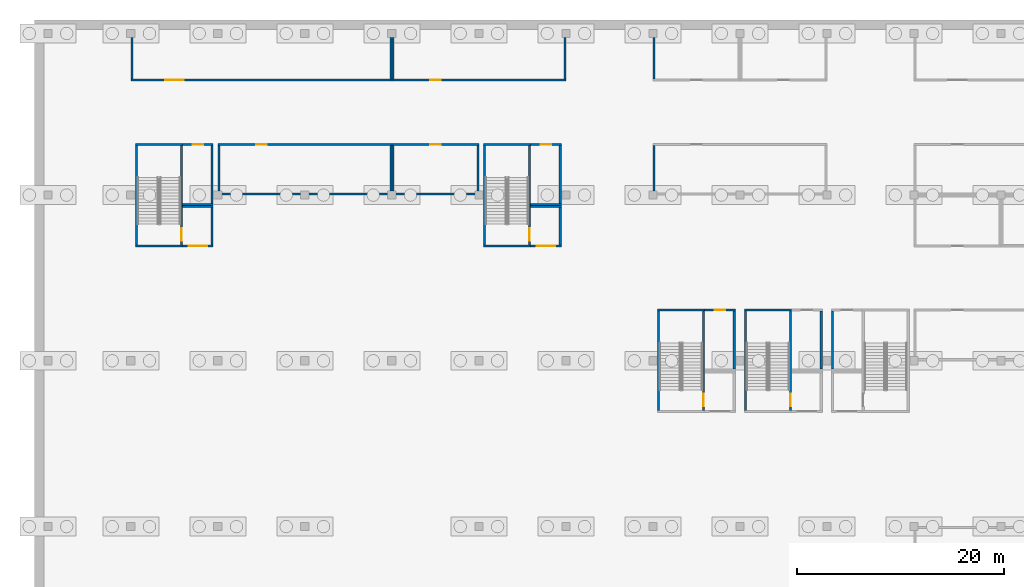
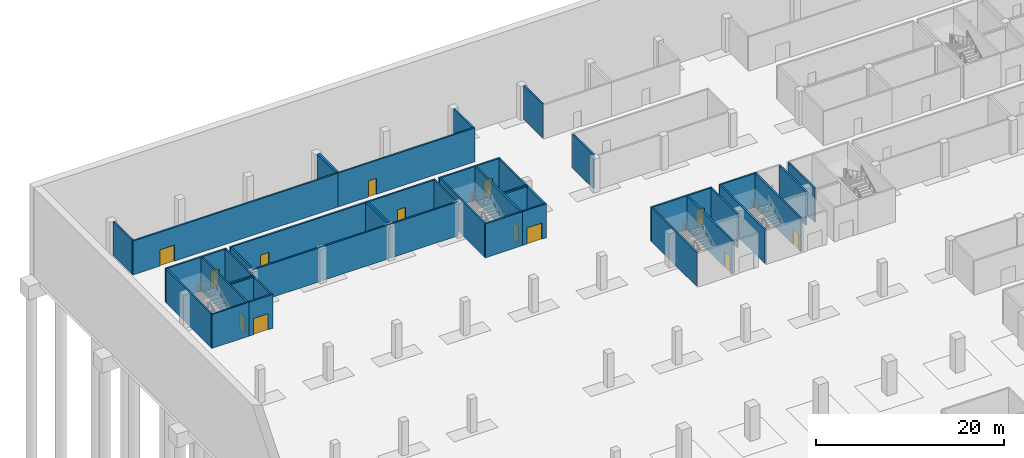
# One storey, part 21 of 46: 46 walls, 13 doors, 13 openings.
"""IFC4 building model written with IfcOpenShell, lengths in metres."""

import ifcopenshell
import ifcopenshell.guid

model = None  # the IFC model being written
_history = None  # IfcOwnerHistory: only IFC2X3 demands one
_inside = {}  # id of a spatial element -> (the spatial element, [elements in it])
_under = {}  # id of a project, library or spatial element -> (it, [spatial elements below it])
_declared = {}  # id of a project -> (the project, [libraries it declares])
_typed = {}  # id of a type object -> (the type object, [elements of that type])
_made_of = {}  # id of a material, layer set ... -> (it, [elements and type objects made of it])


def new_model(schema):
    """Start an empty IFC model of exactly this schema.

    Asked for "IFC4X3", IfcOpenShell would pick the latest addendum, in which some entities
    have other attributes; the version numbers below select the first issue.
    IFC2X3 requires an IfcOwnerHistory on every rooted entity: one is made here for all.
    """
    global model, _history
    if schema == "IFC4X3":
        model = ifcopenshell.file(schema_version=(4, 3, 0, 0))
    else:
        model = ifcopenshell.file(schema=schema)
    _inside.clear()
    _under.clear()
    _declared.clear()
    _typed.clear()
    _made_of.clear()
    _history = None
    if model.schema == "IFC2X3":
        org = make("IfcOrganization", Name="unknown")
        user = make(
            "IfcPersonAndOrganization",
            ThePerson=make("IfcPerson", FamilyName="unknown"),
            TheOrganization=org,
        )
        app = make(
            "IfcApplication",
            ApplicationDeveloper=org,
            Version="unknown",
            ApplicationFullName="unknown",
            ApplicationIdentifier="unknown",
        )
        _history = make(
            "IfcOwnerHistory",
            OwningUser=user,
            OwningApplication=app,
            ChangeAction="ADDED",
            CreationDate=0,
        )
    return model


def make(cls, **values):
    """One entity of the class cls with the attributes given. An attribute that is None is left unset."""
    return model.create_entity(
        cls, **{name: value for name, value in values.items() if value is not None}
    )


def rooted(cls, **values):
    """An entity with a GlobalId (a new one), such as an element, a storey or a relation."""
    return make(cls, GlobalId=ifcopenshell.guid.new(), OwnerHistory=_history, **values)


def si_unit(unit_type, name, prefix=None):
    """IfcSIUnit, for example si_unit("LENGTHUNIT", "METRE", prefix="MILLI")."""
    return make("IfcSIUnit", UnitType=unit_type, Prefix=prefix, Name=name)


def assignment(units):
    """IfcUnitAssignment: the units of a project."""
    return None if units is None else make("IfcUnitAssignment", Units=units)


def point(xyz):
    """IfcCartesianPoint."""
    return None if xyz is None else make("IfcCartesianPoint", Coordinates=xyz)


def direction(xyz):
    """IfcDirection."""
    return None if xyz is None else make("IfcDirection", DirectionRatios=xyz)


def frame(location, z_axis=None, x_axis=None):
    """IfcAxis2Placement3D, a coordinate frame: its origin and axes. An axis left out is left unset."""
    return make(
        "IfcAxis2Placement3D",
        Location=point(location),
        Axis=direction(z_axis),
        RefDirection=direction(x_axis),
    )


def frame_2d(location, x_axis=None):
    """IfcAxis2Placement2D, a coordinate frame in the plane: its origin and x axis."""
    return make(
        "IfcAxis2Placement2D", Location=point(location), RefDirection=direction(x_axis)
    )


def origin():
    """The frame at (0, 0, 0) with its axes left unset."""
    return frame((0.0, 0.0, 0.0))


def place(relative_to, where):
    """IfcLocalPlacement: puts the frame where relative to a parent placement (None: the world)."""
    return make(
        "IfcLocalPlacement", PlacementRelTo=relative_to, RelativePlacement=where
    )


def context(
    kind, dimensions, precision=None, world=None, true_north=None, identifier=None
):
    """IfcGeometricRepresentationContext, for example the 3D "Model" context."""
    return make(
        "IfcGeometricRepresentationContext",
        ContextIdentifier=identifier,
        ContextType=kind,
        CoordinateSpaceDimension=dimensions,
        Precision=precision,
        WorldCoordinateSystem=world,
        TrueNorth=true_north,
    )


def subcontext(parent, identifier, kind, view, scale=None):
    """IfcGeometricRepresentationSubContext, for example "Body" below "Model"."""
    return make(
        "IfcGeometricRepresentationSubContext",
        ContextIdentifier=identifier,
        ContextType=kind,
        ParentContext=parent,
        TargetScale=scale,
        TargetView=view,
    )


def project(units=None, contexts=None):
    """IfcProject with its units and contexts."""
    return rooted(
        "IfcProject",
        Name="project",
        RepresentationContexts=contexts,
        UnitsInContext=assignment(units),
    )


def spatial(cls, under=None, at=None, **own):
    """A site, building, storey or space (cls), placed at a placement, below another one or the project."""
    s = rooted(cls, ObjectPlacement=at, **own)
    if under is not None:
        _under.setdefault(under.id(), (under, []))[1].append(s)
    return s


def profile(cls, at=None, kind="AREA", **sizes):
    """A parametric profile (cls). Its sizes go by their IFC names, for example OverallWidth=200.0."""
    return make(cls, ProfileType=kind, Position=at, **sizes)


def rectangle(**sizes):
    """IfcRectangleProfileDef."""
    return profile("IfcRectangleProfileDef", **sizes)


def extrude(swept, where, along, depth):
    """IfcExtrudedAreaSolid: the profile swept, set in the frame where, extruded along a direction by depth."""
    return make(
        "IfcExtrudedAreaSolid",
        SweptArea=swept,
        Position=where,
        ExtrudedDirection=direction(along),
        Depth=depth,
    )


def shape(context_of_items, identifier, shape_type, items):
    """IfcShapeRepresentation: the items that make up one representation, for example the "Body"."""
    return make(
        "IfcShapeRepresentation",
        ContextOfItems=context_of_items,
        RepresentationIdentifier=identifier,
        RepresentationType=shape_type,
        Items=items,
    )


def material(Name=None, Category=None):
    """IfcMaterial."""
    return make("IfcMaterial", Name=Name, Category=Category)


def layer(
    of_material, thickness, ventilated=None, Name=None, Category=None, Priority=None
):
    """IfcMaterialLayer: one layer of a wall or slab, of a material (None: an air gap)."""
    return make(
        "IfcMaterialLayer",
        Material=of_material,
        LayerThickness=thickness,
        IsVentilated=ventilated,
        Name=Name,
        Category=Category,
        Priority=Priority,
    )


def layer_set(layers, Name=None):
    """IfcMaterialLayerSet."""
    return make("IfcMaterialLayerSet", MaterialLayers=layers, LayerSetName=Name)


def made_of(thing, what):
    """Note that an element or type object is made of a material, layer set ...; save() writes the relation."""
    if what is not None:
        _made_of.setdefault(what.id(), (what, []))[1].append(thing)
    return thing


def type_object(cls, material=None, **own):
    """A type object (cls), such as IfcWallType, which elements share."""
    return made_of(rooted(cls, **own), material)


def element(
    cls,
    number,
    at=None,
    inside=None,
    cuts=None,
    type_object=None,
    material=None,
    context=None,
    identifier="Body",
    shape_type=None,
    held_by="IfcProductDefinitionShape",
    body=None,
    shapes=None,
    **own,
):
    """One element of the class cls, such as IfcWall. Its Tag is "e" and its number.

    at: its placement. inside: the storey or other place that contains it. cuts: it is an
    opening in that element (IfcRelVoidsElement). A single representation is given by context,
    identifier, shape_type and body (its items); several are given by shapes. held_by: the class
    of the entity that holds the representations. save() writes the other relations.
    """
    e = rooted(cls, Tag="e%d" % number, ObjectPlacement=at, **own)
    if body is not None:
        shapes = [shape(context, identifier, shape_type, body)]
    if shapes is not None:
        e.Representation = make(held_by, Representations=shapes)
    if inside is not None:
        _inside.setdefault(inside.id(), (inside, []))[1].append(e)
    if cuts is not None:
        rooted(
            "IfcRelVoidsElement", RelatingBuildingElement=cuts, RelatedOpeningElement=e
        )
    if type_object is not None:
        _typed.setdefault(type_object.id(), (type_object, []))[1].append(e)
    return made_of(e, material)


def fill(opening, filler):
    """IfcRelFillsElement: the door or window that sits in an opening."""
    return rooted(
        "IfcRelFillsElement",
        RelatingOpeningElement=opening,
        RelatedBuildingElement=filler,
    )


def aggregate(whole, parts):
    """IfcRelAggregates: a whole, such as a stair, and the parts it consists of."""
    return rooted("IfcRelAggregates", RelatingObject=whole, RelatedObjects=parts)


def save(model, path):
    """Write the relations noted so far, then the file.

    IfcRelAggregates (storeys below a building ...), IfcRelContainedInSpatialStructure (elements
    in a storey), IfcRelDefinesByType, IfcRelAssociatesMaterial and IfcRelDeclares: one each for
    every whole, place, type object, material and project.
    """
    for whole, parts in _under.values():
        aggregate(whole, parts)
    for where, things in _inside.values():
        rooted(
            "IfcRelContainedInSpatialStructure",
            RelatedElements=things,
            RelatingStructure=where,
        )
    for kind, things in _typed.values():
        rooted("IfcRelDefinesByType", RelatedObjects=things, RelatingType=kind)
    for what, things in _made_of.values():
        rooted("IfcRelAssociatesMaterial", RelatedObjects=things, RelatingMaterial=what)
    for by, libraries in _declared.values():
        rooted("IfcRelDeclares", RelatingContext=by, RelatedDefinitions=libraries)
    model.write(path)


model = new_model("IFC4")

# Units and contexts
model_context = context("Model", 3, precision=1e-05, world=origin(), true_north=direction((0.0, 1.0)))
body_context = subcontext(model_context, "Body", "Model", "MODEL_VIEW")
ifc_project = project(units=[si_unit("LENGTHUNIT", "METRE"), si_unit("AREAUNIT", "SQUARE_METRE"), si_unit("VOLUMEUNIT", "CUBIC_METRE"), si_unit("PLANEANGLEUNIT", "RADIAN"), si_unit("MASSUNIT", "GRAM", prefix="KILO")], contexts=[model_context])

# Site, building, storey
site_placement = place(None, origin())
site = spatial("IfcSite", under=ifc_project, at=site_placement, CompositionType="ELEMENT")
building_placement = place(site_placement, origin())
building = spatial("IfcBuilding", under=site, at=building_placement, Name="Tamra Quay Hotel Tower", CompositionType="ELEMENT")
storey_placement = place(building_placement, frame((0.0, 0.0, -12.0)))
storey = spatial("IfcBuildingStorey", under=building, at=storey_placement, Name="B3", CompositionType="ELEMENT", Elevation=-12.0)

# Wall
ifc_material_1 = material(Name="Blockwork", Category="masonry")
ifc_layer_1 = layer(ifc_material_1, 0.199951171875)
ifc_layer_set_1 = layer_set([ifc_layer_1], Name="Car park room wall 200")
wall_type_1 = type_object("IfcWallType", Name="Car park room wall 200", PredefinedType="PARTITIONING", material=ifc_layer_set_1)
wall_1_placement = place(storey_placement, frame((-105.89990234375, 64.10009765625, 0.0), z_axis=(0.0, 0.0, 1.0), x_axis=(1.0, 0.0, 0.0)))
element("IfcWall", 1, at=wall_1_placement, inside=storey, type_object=wall_type_1, Name="PW", PredefinedType="PARTITIONING", context=body_context, shape_type="SweptSolid", body=[
    extrude(rectangle(XDim=16.7998046875, YDim=0.199951171875, at=frame_2d((8.39990234375, 0.0))), origin(), (0.0, 0.0, 1.0), 4.39990234375),
])

# Wall, opening, door
wall_2_placement = place(storey_placement, frame((-105.89990234375, 68.89990234375, 0.0), z_axis=(0.0, 0.0, 1.0), x_axis=(1.0, 0.0, 0.0)))
wall_2 = element("IfcWall", 2, at=wall_2_placement, inside=storey, type_object=wall_type_1, Name="PW", PredefinedType="PARTITIONING", context=body_context, shape_type="SweptSolid", body=[
    extrude(rectangle(XDim=16.7998046875, YDim=0.199951171875, at=frame_2d((8.39990234375, 0.0))), origin(), (0.0, 0.0, 1.0), 4.39990234375),
])
opening_1_placement = place(wall_2_placement, frame((3.699951171875, 0.0, 0.0)))
opening_1 = element("IfcOpeningElement", 3, at=opening_1_placement, cuts=wall_2, Name="Opening PD1", PredefinedType="OPENING", context=body_context, shape_type="SweptSolid", body=[
    extrude(rectangle(XDim=1.0, YDim=2.10009765625, at=frame_2d((0.5, 1.050048828125))), frame((0.0, 0.10986328125, 0.0), z_axis=(0.0, -1.0, 0.0), x_axis=(1.0, 0.0, 0.0)), (0.0, 0.0, 1.0), 0.219970703125),
])
ifc_material_2 = material(Name="Car park door 1000 x 2100")
door_type_1 = type_object("IfcDoorType", Name="Car park door 1000 x 2100", OperationType="NOTDEFINED", PredefinedType="DOOR", material=ifc_material_2)
door_1_placement = place(opening_1_placement, origin())
door_1 = element("IfcDoor", 4, at=door_1_placement, inside=storey, type_object=door_type_1, Name="PD1", OperationType="SINGLE_SWING_LEFT", OverallHeight=2.10009765625, OverallWidth=1.0, PredefinedType="DOOR", context=body_context, shape_type="SweptSolid", body=[
    extrude(rectangle(XDim=1.0, YDim=2.10009765625, at=frame_2d((0.5, 1.050048828125))), frame((0.0, 0.02490234375, 0.0), z_axis=(0.0, -1.0, 0.0), x_axis=(1.0, 0.0, 0.0)), (0.0, 0.0, 1.0), 0.050048828125),
])
fill(opening_1, door_1)

# Walls
for number, where, z_axis, x_axis, name in (
    (5, (-105.800048828125, 64.39990234375, 0.0), (0.0, 0.0, 1.0), (0.0, 1.0, 0.0), "PW"),
    (6, (-89.199951171875, 64.39990234375, 0.0), (0.0, 0.0, 1.0), (0.0, 1.0, 0.0), "PW"),
):
    element("IfcWall", number, at=place(storey_placement, frame(where, z_axis=z_axis, x_axis=x_axis)), inside=storey, type_object=wall_type_1, Name=name, PredefinedType="PARTITIONING", context=body_context, shape_type="SweptSolid", body=[
        extrude(rectangle(XDim=4.400146484375, YDim=0.199951171875, at=frame_2d((2.2001953125, 0.0))), origin(), (0.0, 0.0, 1.0), 4.39990234375),
    ])
wall_3_placement = place(storey_placement, frame((-89.10009765625, 64.10009765625, 0.0), z_axis=(0.0, 0.0, 1.0), x_axis=(1.0, 0.0, 0.0)))
element("IfcWall", 7, at=wall_3_placement, inside=storey, type_object=wall_type_1, Name="PW", PredefinedType="PARTITIONING", context=body_context, shape_type="SweptSolid", body=[
    extrude(rectangle(XDim=8.400146484375, YDim=0.199951171875, at=frame_2d((4.2001953125, 0.0))), origin(), (0.0, 0.0, 1.0), 4.39990234375),
])

# Wall, opening, door
wall_4_placement = place(storey_placement, frame((-89.10009765625, 68.89990234375, 0.0), z_axis=(0.0, 0.0, 1.0), x_axis=(1.0, 0.0, 0.0)))
wall_4 = element("IfcWall", 8, at=wall_4_placement, inside=storey, type_object=wall_type_1, Name="PW", PredefinedType="PARTITIONING", context=body_context, shape_type="SweptSolid", body=[
    extrude(rectangle(XDim=8.400146484375, YDim=0.199951171875, at=frame_2d((4.2001953125, 0.0))), origin(), (0.0, 0.0, 1.0), 4.39990234375),
])
opening_2_placement = place(wall_4_placement, frame((3.699951171875, 0.0, 0.0)))
opening_2 = element("IfcOpeningElement", 9, at=opening_2_placement, cuts=wall_4, Name="Opening PD1", PredefinedType="OPENING", context=body_context, shape_type="SweptSolid", body=[
    extrude(rectangle(XDim=1.0, YDim=2.10009765625, at=frame_2d((0.5, 1.050048828125))), frame((0.0, 0.10986328125, 0.0), z_axis=(0.0, -1.0, 0.0), x_axis=(1.0, 0.0, 0.0)), (0.0, 0.0, 1.0), 0.219970703125),
])
door_2_placement = place(opening_2_placement, origin())
door_2 = element("IfcDoor", 10, at=door_2_placement, inside=storey, type_object=door_type_1, Name="PD1", OperationType="SINGLE_SWING_LEFT", OverallHeight=2.10009765625, OverallWidth=1.0, PredefinedType="DOOR", context=body_context, shape_type="SweptSolid", body=[
    extrude(rectangle(XDim=1.0, YDim=2.10009765625, at=frame_2d((0.5, 1.050048828125))), frame((0.0, 0.02490234375, 0.0), z_axis=(0.0, -1.0, 0.0), x_axis=(1.0, 0.0, 0.0)), (0.0, 0.0, 1.0), 0.050048828125),
])
fill(opening_2, door_2)

# Walls
for number, where, z_axis, x_axis, name in (
    (11, (-89.0, 64.39990234375, 0.0), (0.0, 0.0, 1.0), (0.0, 1.0, 0.0), "PW"),
    (12, (-80.800048828125, 64.39990234375, 0.0), (0.0, 0.0, 1.0), (0.0, 1.0, 0.0), "PW"),
    (13, (-63.800048828125, 64.39990234375, 0.0), (0.0, 0.0, 1.0), (0.0, 1.0, 0.0), "PW"),
):
    element("IfcWall", number, at=place(storey_placement, frame(where, z_axis=z_axis, x_axis=x_axis)), inside=storey, type_object=wall_type_1, Name=name, PredefinedType="PARTITIONING", context=body_context, shape_type="SweptSolid", body=[
        extrude(rectangle(XDim=4.400146484375, YDim=0.199951171875, at=frame_2d((2.2001953125, 0.0))), origin(), (0.0, 0.0, 1.0), 4.39990234375),
    ])

# Wall, opening, door
wall_5_placement = place(storey_placement, frame((-114.300048828125, 75.10009765625, 0.0), z_axis=(0.0, 0.0, 1.0), x_axis=(1.0, 0.0, 0.0)))
wall_5 = element("IfcWall", 14, at=wall_5_placement, inside=storey, type_object=wall_type_1, Name="PW", PredefinedType="PARTITIONING", context=body_context, shape_type="SweptSolid", body=[
    extrude(rectangle(XDim=25.199951171875, YDim=0.199951171875, at=frame_2d((12.60009765625, 0.0))), origin(), (0.0, 0.0, 1.0), 4.39990234375),
])
opening_3_placement = place(wall_5_placement, frame((3.300048828125, 0.0, 0.0)))
opening_3 = element("IfcOpeningElement", 15, at=opening_3_placement, cuts=wall_5, Name="Opening PD2", PredefinedType="OPENING", context=body_context, shape_type="SweptSolid", body=[
    extrude(rectangle(XDim=1.800048828125, YDim=2.10009765625, at=frame_2d((0.89990234375, 1.050048828125))), frame((0.0, 0.10986328125, 0.0), z_axis=(0.0, -1.0, 0.0), x_axis=(1.0, 0.0, 0.0)), (0.0, 0.0, 1.0), 0.219970703125),
])
ifc_material_3 = material(Name="Plant door 1800 x 2100")
door_type_2 = type_object("IfcDoorType", Name="Plant door 1800 x 2100", OperationType="DOUBLE_DOOR_SINGLE_SWING", PredefinedType="DOOR", material=ifc_material_3)
door_3_placement = place(opening_3_placement, origin())
door_3 = element("IfcDoor", 16, at=door_3_placement, inside=storey, type_object=door_type_2, Name="PD2", OperationType="DOUBLE_DOOR_SINGLE_SWING", OverallHeight=2.10009765625, OverallWidth=1.800048828125, PredefinedType="DOOR", context=body_context, shape_type="SweptSolid", body=[
    extrude(rectangle(XDim=1.800048828125, YDim=2.10009765625, at=frame_2d((0.89990234375, 1.050048828125))), frame((0.0, 0.02490234375, 0.0), z_axis=(0.0, -1.0, 0.0), x_axis=(1.0, 0.0, 0.0)), (0.0, 0.0, 1.0), 0.050048828125),
])
fill(opening_3, door_3)

# Walls
for number, where, z_axis, x_axis, name in (
    (17, (-114.199951171875, 75.199951171875, 0.0), (0.0, 0.0, 1.0), (0.0, 1.0, 0.0), "PW"),
    (18, (-89.199951171875, 75.199951171875, 0.0), (0.0, 0.0, 1.0), (0.0, 1.0, 0.0), "PW"),
):
    element("IfcWall", number, at=place(storey_placement, frame(where, z_axis=z_axis, x_axis=x_axis)), inside=storey, type_object=wall_type_1, Name=name, PredefinedType="PARTITIONING", context=body_context, shape_type="SweptSolid", body=[
        extrude(rectangle(XDim=4.0, YDim=0.199951171875, at=frame_2d((2.0, 0.0))), origin(), (0.0, 0.0, 1.0), 4.39990234375),
    ])

# Wall, opening, door
wall_6_placement = place(storey_placement, frame((-89.10009765625, 75.10009765625, 0.0), z_axis=(0.0, 0.0, 1.0), x_axis=(1.0, 0.0, 0.0)))
wall_6 = element("IfcWall", 19, at=wall_6_placement, inside=storey, type_object=wall_type_1, Name="PW", PredefinedType="PARTITIONING", context=body_context, shape_type="SweptSolid", body=[
    extrude(rectangle(XDim=16.800048828125, YDim=0.199951171875, at=frame_2d((8.39990234375, 0.0))), origin(), (0.0, 0.0, 1.0), 4.39990234375),
])
opening_4_placement = place(wall_6_placement, frame((3.699951171875, 0.0, 0.0)))
opening_4 = element("IfcOpeningElement", 20, at=opening_4_placement, cuts=wall_6, Name="Opening PD1", PredefinedType="OPENING", context=body_context, shape_type="SweptSolid", body=[
    extrude(rectangle(XDim=1.0, YDim=2.10009765625, at=frame_2d((0.5, 1.050048828125))), frame((0.0, 0.10986328125, 0.0), z_axis=(0.0, -1.0, 0.0), x_axis=(1.0, 0.0, 0.0)), (0.0, 0.0, 1.0), 0.219970703125),
])
door_4_placement = place(opening_4_placement, origin())
door_4 = element("IfcDoor", 21, at=door_4_placement, inside=storey, type_object=door_type_1, Name="PD1", OperationType="SINGLE_SWING_LEFT", OverallHeight=2.10009765625, OverallWidth=1.0, PredefinedType="DOOR", context=body_context, shape_type="SweptSolid", body=[
    extrude(rectangle(XDim=1.0, YDim=2.10009765625, at=frame_2d((0.5, 1.050048828125))), frame((0.0, 0.02490234375, 0.0), z_axis=(0.0, -1.0, 0.0), x_axis=(1.0, 0.0, 0.0)), (0.0, 0.0, 1.0), 0.050048828125),
])
fill(opening_4, door_4)

# Walls
for number, where, z_axis, x_axis, name in (
    (22, (-89.0, 75.199951171875, 0.0), (0.0, 0.0, 1.0), (0.0, 1.0, 0.0), "PW"),
    (23, (-72.39990234375, 75.199951171875, 0.0), (0.0, 0.0, 1.0), (0.0, 1.0, 0.0), "PW"),
    (24, (-63.800048828125, 75.199951171875, 0.0), (0.0, 0.0, 1.0), (0.0, 1.0, 0.0), "PW"),
):
    element("IfcWall", number, at=place(storey_placement, frame(where, z_axis=z_axis, x_axis=x_axis)), inside=storey, type_object=wall_type_1, Name=name, PredefinedType="PARTITIONING", context=body_context, shape_type="SweptSolid", body=[
        extrude(rectangle(XDim=4.0, YDim=0.199951171875, at=frame_2d((2.0, 0.0))), origin(), (0.0, 0.0, 1.0), 4.39990234375),
    ])

# Wall, opening, door
wall_7_placement = place(storey_placement, frame((-109.300048828125, 59.10009765625, 0.0), z_axis=(0.0, 0.0, 1.0), x_axis=(1.0, 0.0, 0.0)))
wall_7 = element("IfcWall", 25, at=wall_7_placement, inside=storey, type_object=wall_type_1, Name="PW", PredefinedType="PARTITIONING", context=body_context, shape_type="SweptSolid", body=[
    extrude(rectangle(XDim=2.949951171875, YDim=0.199951171875, at=frame_2d((1.47509765625, 0.0))), origin(), (0.0, 0.0, 1.0), 4.39990234375),
])
opening_5_placement = place(wall_7_placement, frame((0.574951171875, 0.0, 0.0)))
opening_5 = element("IfcOpeningElement", 26, at=opening_5_placement, cuts=wall_7, Name="Opening PD2", PredefinedType="OPENING", context=body_context, shape_type="SweptSolid", body=[
    extrude(rectangle(XDim=1.800048828125, YDim=2.10009765625, at=frame_2d((0.89990234375, 1.050048828125))), frame((0.0, 0.10986328125, 0.0), z_axis=(0.0, -1.0, 0.0), x_axis=(1.0, 0.0, 0.0)), (0.0, 0.0, 1.0), 0.219970703125),
])
door_5_placement = place(opening_5_placement, origin())
door_5 = element("IfcDoor", 27, at=door_5_placement, inside=storey, type_object=door_type_2, Name="PD2", OperationType="DOUBLE_DOOR_SINGLE_SWING", OverallHeight=2.10009765625, OverallWidth=1.800048828125, PredefinedType="DOOR", context=body_context, shape_type="SweptSolid", body=[
    extrude(rectangle(XDim=1.800048828125, YDim=2.10009765625, at=frame_2d((0.89990234375, 1.050048828125))), frame((0.0, 0.02490234375, 0.0), z_axis=(0.0, -1.0, 0.0), x_axis=(1.0, 0.0, 0.0)), (0.0, 0.0, 1.0), 0.050048828125),
])
fill(opening_5, door_5)

# Walls
wall_8_placement = place(storey_placement, frame((-109.300048828125, 62.89990234375, 0.0), z_axis=(0.0, 0.0, 1.0), x_axis=(1.0, 0.0, 0.0)))
element("IfcWall", 28, at=wall_8_placement, inside=storey, type_object=wall_type_1, Name="PW", PredefinedType="PARTITIONING", context=body_context, shape_type="SweptSolid", body=[
    extrude(rectangle(XDim=2.949951171875, YDim=0.199951171875, at=frame_2d((1.47509765625, 0.0))), origin(), (0.0, 0.0, 1.0), 4.39990234375),
])
wall_9_placement = place(storey_placement, frame((-106.449951171875, 59.199951171875, 0.0), z_axis=(0.0, 0.0, 1.0), x_axis=(0.0, 1.0, 0.0)))
element("IfcWall", 29, at=wall_9_placement, inside=storey, type_object=wall_type_1, Name="PW", PredefinedType="PARTITIONING", context=body_context, shape_type="SweptSolid", body=[
    extrude(rectangle(XDim=3.60009765625, YDim=0.199951171875, at=frame_2d((1.800048828125, 0.0))), origin(), (0.0, 0.0, 1.0), 4.39990234375),
])
wall_10_placement = place(storey_placement, frame((-109.300048828125, 63.10009765625, 0.0), z_axis=(0.0, 0.0, 1.0), x_axis=(1.0, 0.0, 0.0)))
element("IfcWall", 30, at=wall_10_placement, inside=storey, type_object=wall_type_1, Name="PW", PredefinedType="PARTITIONING", context=body_context, shape_type="SweptSolid", body=[
    extrude(rectangle(XDim=2.949951171875, YDim=0.199951171875, at=frame_2d((1.47509765625, 0.0))), origin(), (0.0, 0.0, 1.0), 4.39990234375),
])

# Wall, opening, door
wall_11_placement = place(storey_placement, frame((-109.300048828125, 68.89990234375, 0.0), z_axis=(0.0, 0.0, 1.0), x_axis=(1.0, 0.0, 0.0)))
wall_11 = element("IfcWall", 31, at=wall_11_placement, inside=storey, type_object=wall_type_1, Name="PW", PredefinedType="PARTITIONING", context=body_context, shape_type="SweptSolid", body=[
    extrude(rectangle(XDim=2.949951171875, YDim=0.199951171875, at=frame_2d((1.47509765625, 0.0))), origin(), (0.0, 0.0, 1.0), 4.39990234375),
])
opening_6_placement = place(wall_11_placement, frame((0.97509765625, 0.0, 0.0)))
opening_6 = element("IfcOpeningElement", 32, at=opening_6_placement, cuts=wall_11, Name="Opening PD1", PredefinedType="OPENING", context=body_context, shape_type="SweptSolid", body=[
    extrude(rectangle(XDim=1.0, YDim=2.10009765625, at=frame_2d((0.5, 1.050048828125))), frame((0.0, 0.10986328125, 0.0), z_axis=(0.0, -1.0, 0.0), x_axis=(1.0, 0.0, 0.0)), (0.0, 0.0, 1.0), 0.219970703125),
])
door_6_placement = place(opening_6_placement, origin())
door_6 = element("IfcDoor", 33, at=door_6_placement, inside=storey, type_object=door_type_1, Name="PD1", OperationType="SINGLE_SWING_LEFT", OverallHeight=2.10009765625, OverallWidth=1.0, PredefinedType="DOOR", context=body_context, shape_type="SweptSolid", body=[
    extrude(rectangle(XDim=1.0, YDim=2.10009765625, at=frame_2d((0.5, 1.050048828125))), frame((0.0, 0.02490234375, 0.0), z_axis=(0.0, -1.0, 0.0), x_axis=(1.0, 0.0, 0.0)), (0.0, 0.0, 1.0), 0.050048828125),
])
fill(opening_6, door_6)

# Wall
wall_12_placement = place(storey_placement, frame((-106.449951171875, 63.199951171875, 0.0), z_axis=(0.0, 0.0, 1.0), x_axis=(0.0, 1.0, 0.0)))
element("IfcWall", 34, at=wall_12_placement, inside=storey, type_object=wall_type_1, Name="PW", PredefinedType="PARTITIONING", context=body_context, shape_type="SweptSolid", body=[
    extrude(rectangle(XDim=5.60009765625, YDim=0.199951171875, at=frame_2d((2.800048828125, 0.0))), origin(), (0.0, 0.0, 1.0), 4.39990234375),
])

# Wall, opening, door
wall_13_placement = place(storey_placement, frame((-75.699951171875, 59.10009765625, 0.0), z_axis=(0.0, 0.0, 1.0), x_axis=(1.0, 0.0, 0.0)))
wall_13 = element("IfcWall", 35, at=wall_13_placement, inside=storey, type_object=wall_type_1, Name="PW", PredefinedType="PARTITIONING", context=body_context, shape_type="SweptSolid", body=[
    extrude(rectangle(XDim=2.949951171875, YDim=0.199951171875, at=frame_2d((1.47509765625, 0.0))), origin(), (0.0, 0.0, 1.0), 4.39990234375),
])
opening_7_placement = place(wall_13_placement, frame((0.574951171875, 0.0, 0.0)))
opening_7 = element("IfcOpeningElement", 36, at=opening_7_placement, cuts=wall_13, Name="Opening PD2", PredefinedType="OPENING", context=body_context, shape_type="SweptSolid", body=[
    extrude(rectangle(XDim=1.800048828125, YDim=2.10009765625, at=frame_2d((0.89990234375, 1.050048828125))), frame((0.0, 0.10986328125, 0.0), z_axis=(0.0, -1.0, 0.0), x_axis=(1.0, 0.0, 0.0)), (0.0, 0.0, 1.0), 0.219970703125),
])
door_7_placement = place(opening_7_placement, origin())
door_7 = element("IfcDoor", 37, at=door_7_placement, inside=storey, type_object=door_type_2, Name="PD2", OperationType="DOUBLE_DOOR_SINGLE_SWING", OverallHeight=2.10009765625, OverallWidth=1.800048828125, PredefinedType="DOOR", context=body_context, shape_type="SweptSolid", body=[
    extrude(rectangle(XDim=1.800048828125, YDim=2.10009765625, at=frame_2d((0.89990234375, 1.050048828125))), frame((0.0, 0.02490234375, 0.0), z_axis=(0.0, -1.0, 0.0), x_axis=(1.0, 0.0, 0.0)), (0.0, 0.0, 1.0), 0.050048828125),
])
fill(opening_7, door_7)

# Walls
wall_14_placement = place(storey_placement, frame((-75.699951171875, 62.89990234375, 0.0), z_axis=(0.0, 0.0, 1.0), x_axis=(1.0, 0.0, 0.0)))
element("IfcWall", 38, at=wall_14_placement, inside=storey, type_object=wall_type_1, Name="PW", PredefinedType="PARTITIONING", context=body_context, shape_type="SweptSolid", body=[
    extrude(rectangle(XDim=2.949951171875, YDim=0.199951171875, at=frame_2d((1.47509765625, 0.0))), origin(), (0.0, 0.0, 1.0), 4.39990234375),
])
wall_15_placement = place(storey_placement, frame((-72.85009765625, 59.199951171875, 0.0), z_axis=(0.0, 0.0, 1.0), x_axis=(0.0, 1.0, 0.0)))
element("IfcWall", 39, at=wall_15_placement, inside=storey, type_object=wall_type_1, Name="PW", PredefinedType="PARTITIONING", context=body_context, shape_type="SweptSolid", body=[
    extrude(rectangle(XDim=3.60009765625, YDim=0.199951171875, at=frame_2d((1.800048828125, 0.0))), origin(), (0.0, 0.0, 1.0), 4.39990234375),
])
wall_16_placement = place(storey_placement, frame((-75.699951171875, 63.10009765625, 0.0), z_axis=(0.0, 0.0, 1.0), x_axis=(1.0, 0.0, 0.0)))
element("IfcWall", 40, at=wall_16_placement, inside=storey, type_object=wall_type_1, Name="PW", PredefinedType="PARTITIONING", context=body_context, shape_type="SweptSolid", body=[
    extrude(rectangle(XDim=2.949951171875, YDim=0.199951171875, at=frame_2d((1.47509765625, 0.0))), origin(), (0.0, 0.0, 1.0), 4.39990234375),
])

# Wall, opening, door
wall_17_placement = place(storey_placement, frame((-75.699951171875, 68.89990234375, 0.0), z_axis=(0.0, 0.0, 1.0), x_axis=(1.0, 0.0, 0.0)))
wall_17 = element("IfcWall", 41, at=wall_17_placement, inside=storey, type_object=wall_type_1, Name="PW", PredefinedType="PARTITIONING", context=body_context, shape_type="SweptSolid", body=[
    extrude(rectangle(XDim=2.949951171875, YDim=0.199951171875, at=frame_2d((1.47509765625, 0.0))), origin(), (0.0, 0.0, 1.0), 4.39990234375),
])
opening_8_placement = place(wall_17_placement, frame((0.97509765625, 0.0, 0.0)))
opening_8 = element("IfcOpeningElement", 42, at=opening_8_placement, cuts=wall_17, Name="Opening PD1", PredefinedType="OPENING", context=body_context, shape_type="SweptSolid", body=[
    extrude(rectangle(XDim=1.0, YDim=2.10009765625, at=frame_2d((0.5, 1.050048828125))), frame((0.0, 0.10986328125, 0.0), z_axis=(0.0, -1.0, 0.0), x_axis=(1.0, 0.0, 0.0)), (0.0, 0.0, 1.0), 0.219970703125),
])
door_8_placement = place(opening_8_placement, origin())
door_8 = element("IfcDoor", 43, at=door_8_placement, inside=storey, type_object=door_type_1, Name="PD1", OperationType="SINGLE_SWING_LEFT", OverallHeight=2.10009765625, OverallWidth=1.0, PredefinedType="DOOR", context=body_context, shape_type="SweptSolid", body=[
    extrude(rectangle(XDim=1.0, YDim=2.10009765625, at=frame_2d((0.5, 1.050048828125))), frame((0.0, 0.02490234375, 0.0), z_axis=(0.0, -1.0, 0.0), x_axis=(1.0, 0.0, 0.0)), (0.0, 0.0, 1.0), 0.050048828125),
])
fill(opening_8, door_8)

# Wall
wall_18_placement = place(storey_placement, frame((-72.85009765625, 63.199951171875, 0.0), z_axis=(0.0, 0.0, 1.0), x_axis=(0.0, 1.0, 0.0)))
element("IfcWall", 44, at=wall_18_placement, inside=storey, type_object=wall_type_1, Name="PW", PredefinedType="PARTITIONING", context=body_context, shape_type="SweptSolid", body=[
    extrude(rectangle(XDim=5.60009765625, YDim=0.199951171875, at=frame_2d((2.800048828125, 0.0))), origin(), (0.0, 0.0, 1.0), 4.39990234375),
])

# Wall, opening, door
wall_19_placement = place(storey_placement, frame((-58.89990234375, 52.89990234375, 0.0), z_axis=(0.0, 0.0, 1.0), x_axis=(1.0, 0.0, 0.0)))
wall_19 = element("IfcWall", 45, at=wall_19_placement, inside=storey, type_object=wall_type_1, Name="PW", PredefinedType="PARTITIONING", context=body_context, shape_type="SweptSolid", body=[
    extrude(rectangle(XDim=2.949951171875, YDim=0.199951171875, at=frame_2d((1.47509765625, 0.0))), origin(), (0.0, 0.0, 1.0), 4.39990234375),
])
opening_9_placement = place(wall_19_placement, frame((0.97509765625, 0.0, 0.0)))
opening_9 = element("IfcOpeningElement", 46, at=opening_9_placement, cuts=wall_19, Name="Opening PD1", PredefinedType="OPENING", context=body_context, shape_type="SweptSolid", body=[
    extrude(rectangle(XDim=1.0, YDim=2.10009765625, at=frame_2d((0.5, 1.050048828125))), frame((0.0, 0.10986328125, 0.0), z_axis=(0.0, -1.0, 0.0), x_axis=(1.0, 0.0, 0.0)), (0.0, 0.0, 1.0), 0.219970703125),
])
door_9_placement = place(opening_9_placement, origin())
door_9 = element("IfcDoor", 47, at=door_9_placement, inside=storey, type_object=door_type_1, Name="PD1", OperationType="SINGLE_SWING_LEFT", OverallHeight=2.10009765625, OverallWidth=1.0, PredefinedType="DOOR", context=body_context, shape_type="SweptSolid", body=[
    extrude(rectangle(XDim=1.0, YDim=2.10009765625, at=frame_2d((0.5, 1.050048828125))), frame((0.0, 0.02490234375, 0.0), z_axis=(0.0, -1.0, 0.0), x_axis=(1.0, 0.0, 0.0)), (0.0, 0.0, 1.0), 0.050048828125),
])
fill(opening_9, door_9)

# Walls
for number, where, z_axis, x_axis, name in (
    (48, (-56.050048828125, 47.199951171875, 0.0), (0.0, 0.0, 1.0), (0.0, 1.0, 0.0), "PW"),
    (49, (-47.64990234375, 47.199951171875, 0.0), (0.0, 0.0, 1.0), (0.0, 1.0, 0.0), "PW"),
    (50, (-46.550048828125, 47.199951171875, 0.0), (0.0, 0.0, 1.0), (0.0, 1.0, 0.0), "PW"),
):
    element("IfcWall", number, at=place(storey_placement, frame(where, z_axis=z_axis, x_axis=x_axis)), inside=storey, type_object=wall_type_1, Name=name, PredefinedType="PARTITIONING", context=body_context, shape_type="SweptSolid", body=[
        extrude(rectangle(XDim=5.60009765625, YDim=0.199951171875, at=frame_2d((2.800048828125, 0.0))), origin(), (0.0, 0.0, 1.0), 4.39990234375),
    ])
ifc_material_4 = material(Name="Concrete M70", Category="concrete")
ifc_layer_2 = layer(ifc_material_4, 0.199951171875)
ifc_layer_set_2 = layer_set([ifc_layer_2], Name="Concrete M70 stair enclosure wall 200")
wall_type_2 = type_object("IfcWallType", Name="Concrete M70 stair enclosure wall 200", PredefinedType="SOLIDWALL", material=ifc_layer_set_2)
wall_20_placement = place(storey_placement, frame((-113.75, 59.199951171875, 0.0), z_axis=(0.0, 0.0, 1.0), x_axis=(0.0, 1.0, 0.0)))
element("IfcWall", 51, at=wall_20_placement, inside=storey, type_object=wall_type_2, Name="SEW", PredefinedType="SOLIDWALL", context=body_context, shape_type="SweptSolid", body=[
    extrude(rectangle(XDim=9.60009765625, YDim=0.199951171875, at=frame_2d((4.800048828125, 0.0))), origin(), (0.0, 0.0, 1.0), 4.39990234375),
])

# Wall, opening, door
wall_21_placement = place(storey_placement, frame((-109.39990234375, 59.199951171875, 0.0), z_axis=(0.0, 0.0, 1.0), x_axis=(0.0, 1.0, 0.0)))
wall_21 = element("IfcWall", 52, at=wall_21_placement, inside=storey, type_object=wall_type_2, Name="SEW", PredefinedType="SOLIDWALL", context=body_context, shape_type="SweptSolid", body=[
    extrude(rectangle(XDim=9.60009765625, YDim=0.199951171875, at=frame_2d((4.800048828125, 0.0))), origin(), (0.0, 0.0, 1.0), 4.39990234375),
])
opening_10_placement = place(wall_21_placement, frame((0.39990234375, 0.0, 0.0)))
opening_10 = element("IfcOpeningElement", 53, at=opening_10_placement, cuts=wall_21, Name="Opening SD1", PredefinedType="OPENING", context=body_context, shape_type="SweptSolid", body=[
    extrude(rectangle(XDim=1.199951171875, YDim=2.10009765625, at=frame_2d((0.60009765625, 1.050048828125))), frame((0.0, 0.10986328125, 0.0), z_axis=(0.0, -1.0, 0.0), x_axis=(1.0, 0.0, 0.0)), (0.0, 0.0, 1.0), 0.219970703125),
])
ifc_material_5 = material(Name="Stair door 1200 x 2100")
door_type_3 = type_object("IfcDoorType", Name="Stair door 1200 x 2100", OperationType="NOTDEFINED", PredefinedType="DOOR", material=ifc_material_5)
door_10_placement = place(opening_10_placement, origin())
door_10 = element("IfcDoor", 54, at=door_10_placement, inside=storey, type_object=door_type_3, Name="SD1", OperationType="SINGLE_SWING_LEFT", OverallHeight=2.10009765625, OverallWidth=1.199951171875, PredefinedType="DOOR", context=body_context, shape_type="SweptSolid", body=[
    extrude(rectangle(XDim=1.199951171875, YDim=2.10009765625, at=frame_2d((0.60009765625, 1.050048828125))), frame((0.0, 0.02490234375, 0.0), z_axis=(0.0, -1.0, 0.0), x_axis=(1.0, 0.0, 0.0)), (0.0, 0.0, 1.0), 0.050048828125),
])
fill(opening_10, door_10)

# Walls
for number, where, z_axis, x_axis, name in (
    (55, (-109.300048828125, 59.10009765625, 0.0), (0.0, 0.0, 1.0), (-1.0, 0.0, 0.0), "SEW"),
    (56, (-113.85009765625, 68.89990234375, 0.0), (0.0, 0.0, 1.0), (1.0, 0.0, 0.0), "SEW"),
):
    element("IfcWall", number, at=place(storey_placement, frame(where, z_axis=z_axis, x_axis=x_axis)), inside=storey, type_object=wall_type_2, Name=name, PredefinedType="SOLIDWALL", context=body_context, shape_type="SweptSolid", body=[
        extrude(rectangle(XDim=4.550048828125, YDim=0.199951171875, at=frame_2d((2.27490234375, 0.0))), origin(), (0.0, 0.0, 1.0), 4.39990234375),
    ])
wall_22_placement = place(storey_placement, frame((-80.14990234375, 59.199951171875, 0.0), z_axis=(0.0, 0.0, 1.0), x_axis=(0.0, 1.0, 0.0)))
element("IfcWall", 57, at=wall_22_placement, inside=storey, type_object=wall_type_2, Name="SEW", PredefinedType="SOLIDWALL", context=body_context, shape_type="SweptSolid", body=[
    extrude(rectangle(XDim=9.60009765625, YDim=0.199951171875, at=frame_2d((4.800048828125, 0.0))), origin(), (0.0, 0.0, 1.0), 4.39990234375),
])

# Wall, opening, door
wall_23_placement = place(storey_placement, frame((-75.800048828125, 59.199951171875, 0.0), z_axis=(0.0, 0.0, 1.0), x_axis=(0.0, 1.0, 0.0)))
wall_23 = element("IfcWall", 58, at=wall_23_placement, inside=storey, type_object=wall_type_2, Name="SEW", PredefinedType="SOLIDWALL", context=body_context, shape_type="SweptSolid", body=[
    extrude(rectangle(XDim=9.60009765625, YDim=0.199951171875, at=frame_2d((4.800048828125, 0.0))), origin(), (0.0, 0.0, 1.0), 4.39990234375),
])
opening_11_placement = place(wall_23_placement, frame((0.39990234375, 0.0, 0.0)))
opening_11 = element("IfcOpeningElement", 59, at=opening_11_placement, cuts=wall_23, Name="Opening SD1", PredefinedType="OPENING", context=body_context, shape_type="SweptSolid", body=[
    extrude(rectangle(XDim=1.199951171875, YDim=2.10009765625, at=frame_2d((0.60009765625, 1.050048828125))), frame((0.0, 0.10986328125, 0.0), z_axis=(0.0, -1.0, 0.0), x_axis=(1.0, 0.0, 0.0)), (0.0, 0.0, 1.0), 0.219970703125),
])
door_11_placement = place(opening_11_placement, origin())
door_11 = element("IfcDoor", 60, at=door_11_placement, inside=storey, type_object=door_type_3, Name="SD1", OperationType="SINGLE_SWING_LEFT", OverallHeight=2.10009765625, OverallWidth=1.199951171875, PredefinedType="DOOR", context=body_context, shape_type="SweptSolid", body=[
    extrude(rectangle(XDim=1.199951171875, YDim=2.10009765625, at=frame_2d((0.60009765625, 1.050048828125))), frame((0.0, 0.02490234375, 0.0), z_axis=(0.0, -1.0, 0.0), x_axis=(1.0, 0.0, 0.0)), (0.0, 0.0, 1.0), 0.050048828125),
])
fill(opening_11, door_11)

# Walls
for number, where, z_axis, x_axis, name in (
    (61, (-75.699951171875, 59.10009765625, 0.0), (0.0, 0.0, 1.0), (-1.0, 0.0, 0.0), "SEW"),
    (62, (-80.25, 68.89990234375, 0.0), (0.0, 0.0, 1.0), (1.0, 0.0, 0.0), "SEW"),
):
    element("IfcWall", number, at=place(storey_placement, frame(where, z_axis=z_axis, x_axis=x_axis)), inside=storey, type_object=wall_type_2, Name=name, PredefinedType="SOLIDWALL", context=body_context, shape_type="SweptSolid", body=[
        extrude(rectangle(XDim=4.550048828125, YDim=0.199951171875, at=frame_2d((2.27490234375, 0.0))), origin(), (0.0, 0.0, 1.0), 4.39990234375),
    ])
wall_24_placement = place(storey_placement, frame((-63.35009765625, 43.199951171875, 0.0), z_axis=(0.0, 0.0, 1.0), x_axis=(0.0, 1.0, 0.0)))
element("IfcWall", 63, at=wall_24_placement, inside=storey, type_object=wall_type_2, Name="SEW", PredefinedType="SOLIDWALL", context=body_context, shape_type="SweptSolid", body=[
    extrude(rectangle(XDim=9.60009765625, YDim=0.199951171875, at=frame_2d((4.800048828125, 0.0))), origin(), (0.0, 0.0, 1.0), 4.39990234375),
])

# Wall, opening, door
wall_25_placement = place(storey_placement, frame((-59.0, 43.199951171875, 0.0), z_axis=(0.0, 0.0, 1.0), x_axis=(0.0, 1.0, 0.0)))
wall_25 = element("IfcWall", 64, at=wall_25_placement, inside=storey, type_object=wall_type_2, Name="SEW", PredefinedType="SOLIDWALL", context=body_context, shape_type="SweptSolid", body=[
    extrude(rectangle(XDim=9.60009765625, YDim=0.199951171875, at=frame_2d((4.800048828125, 0.0))), origin(), (0.0, 0.0, 1.0), 4.39990234375),
])
opening_12_placement = place(wall_25_placement, frame((0.39990234375, 0.0, 0.0)))
opening_12 = element("IfcOpeningElement", 65, at=opening_12_placement, cuts=wall_25, Name="Opening SD1", PredefinedType="OPENING", context=body_context, shape_type="SweptSolid", body=[
    extrude(rectangle(XDim=1.199951171875, YDim=2.10009765625, at=frame_2d((0.60009765625, 1.050048828125))), frame((0.0, 0.10986328125, 0.0), z_axis=(0.0, -1.0, 0.0), x_axis=(1.0, 0.0, 0.0)), (0.0, 0.0, 1.0), 0.219970703125),
])
door_12_placement = place(opening_12_placement, origin())
door_12 = element("IfcDoor", 66, at=door_12_placement, inside=storey, type_object=door_type_3, Name="SD1", OperationType="SINGLE_SWING_LEFT", OverallHeight=2.10009765625, OverallWidth=1.199951171875, PredefinedType="DOOR", context=body_context, shape_type="SweptSolid", body=[
    extrude(rectangle(XDim=1.199951171875, YDim=2.10009765625, at=frame_2d((0.60009765625, 1.050048828125))), frame((0.0, 0.02490234375, 0.0), z_axis=(0.0, -1.0, 0.0), x_axis=(1.0, 0.0, 0.0)), (0.0, 0.0, 1.0), 0.050048828125),
])
fill(opening_12, door_12)

# Walls
wall_26_placement = place(storey_placement, frame((-63.449951171875, 52.89990234375, 0.0), z_axis=(0.0, 0.0, 1.0), x_axis=(1.0, 0.0, 0.0)))
element("IfcWall", 67, at=wall_26_placement, inside=storey, type_object=wall_type_2, Name="SEW", PredefinedType="SOLIDWALL", context=body_context, shape_type="SweptSolid", body=[
    extrude(rectangle(XDim=4.550048828125, YDim=0.199951171875, at=frame_2d((2.27490234375, 0.0))), origin(), (0.0, 0.0, 1.0), 4.39990234375),
])
wall_27_placement = place(storey_placement, frame((-54.949951171875, 43.199951171875, 0.0), z_axis=(0.0, 0.0, 1.0), x_axis=(0.0, 1.0, 0.0)))
element("IfcWall", 68, at=wall_27_placement, inside=storey, type_object=wall_type_2, Name="SEW", PredefinedType="SOLIDWALL", context=body_context, shape_type="SweptSolid", body=[
    extrude(rectangle(XDim=9.60009765625, YDim=0.199951171875, at=frame_2d((4.800048828125, 0.0))), origin(), (0.0, 0.0, 1.0), 4.39990234375),
])

# Wall, opening, door
wall_28_placement = place(storey_placement, frame((-50.60009765625, 43.199951171875, 0.0), z_axis=(0.0, 0.0, 1.0), x_axis=(0.0, 1.0, 0.0)))
wall_28 = element("IfcWall", 69, at=wall_28_placement, inside=storey, type_object=wall_type_2, Name="SEW", PredefinedType="SOLIDWALL", context=body_context, shape_type="SweptSolid", body=[
    extrude(rectangle(XDim=9.60009765625, YDim=0.199951171875, at=frame_2d((4.800048828125, 0.0))), origin(), (0.0, 0.0, 1.0), 4.39990234375),
])
opening_13_placement = place(wall_28_placement, frame((0.39990234375, 0.0, 0.0)))
opening_13 = element("IfcOpeningElement", 70, at=opening_13_placement, cuts=wall_28, Name="Opening SD1", PredefinedType="OPENING", context=body_context, shape_type="SweptSolid", body=[
    extrude(rectangle(XDim=1.199951171875, YDim=2.10009765625, at=frame_2d((0.60009765625, 1.050048828125))), frame((0.0, 0.10986328125, 0.0), z_axis=(0.0, -1.0, 0.0), x_axis=(1.0, 0.0, 0.0)), (0.0, 0.0, 1.0), 0.219970703125),
])
door_13_placement = place(opening_13_placement, origin())
door_13 = element("IfcDoor", 71, at=door_13_placement, inside=storey, type_object=door_type_3, Name="SD1", OperationType="SINGLE_SWING_LEFT", OverallHeight=2.10009765625, OverallWidth=1.199951171875, PredefinedType="DOOR", context=body_context, shape_type="SweptSolid", body=[
    extrude(rectangle(XDim=1.199951171875, YDim=2.10009765625, at=frame_2d((0.60009765625, 1.050048828125))), frame((0.0, 0.02490234375, 0.0), z_axis=(0.0, -1.0, 0.0), x_axis=(1.0, 0.0, 0.0)), (0.0, 0.0, 1.0), 0.050048828125),
])
fill(opening_13, door_13)

# Wall
wall_29_placement = place(storey_placement, frame((-55.050048828125, 52.89990234375, 0.0), z_axis=(0.0, 0.0, 1.0), x_axis=(1.0, 0.0, 0.0)))
element("IfcWall", 72, at=wall_29_placement, inside=storey, type_object=wall_type_2, Name="SEW", PredefinedType="SOLIDWALL", context=body_context, shape_type="SweptSolid", body=[
    extrude(rectangle(XDim=4.550048828125, YDim=0.199951171875, at=frame_2d((2.27490234375, 0.0))), origin(), (0.0, 0.0, 1.0), 4.39990234375),
])

save(model, "model.ifc")
